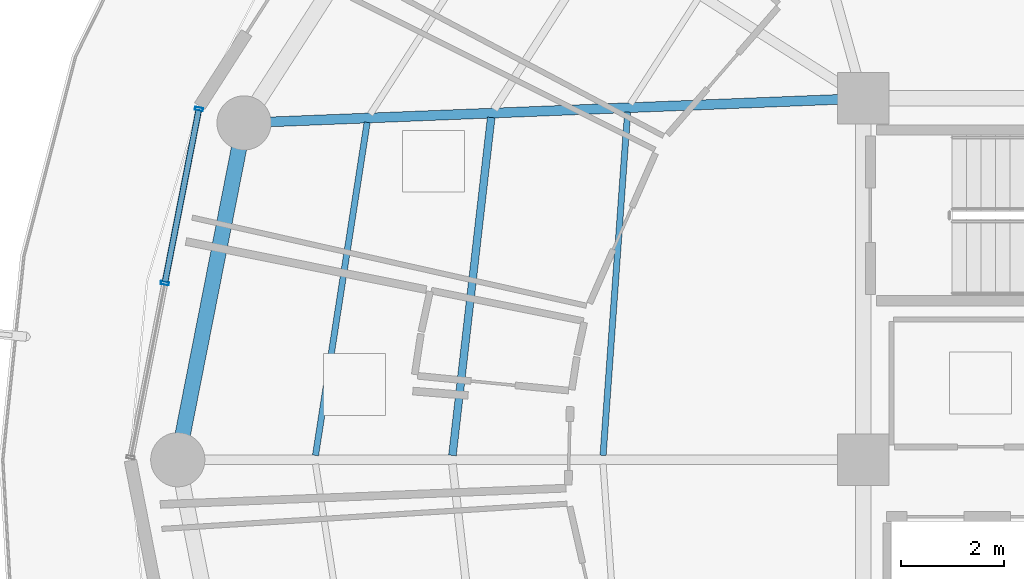
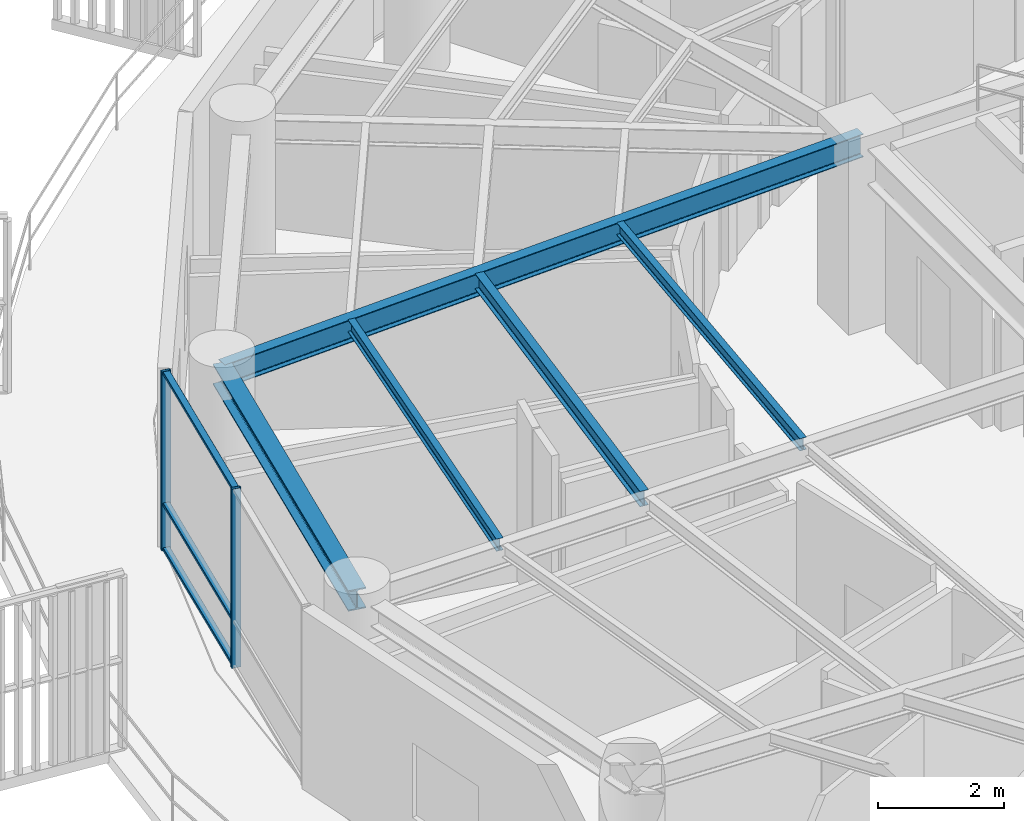
# One storey, part 8 of 31: 5 beams, 5 members, 1 element without a shape of its own.
"""IFC4 building model written with IfcOpenShell, lengths in metres."""

from ifc_helpers import new_model, si_unit, direction, frame, origin, origin_2d, place, context, subcontext, project, spatial, hollow_rectangle, i_section, extrude, material, layer, layer_set, material_profile, profile_set, type_object, element, aggregate, save


model = new_model("IFC4")

# Units and contexts
model_context = context("Model", 3, precision=1e-05, world=origin(), true_north=direction((0.0, 1.0)))
body_context = subcontext(model_context, "Body", "Model", "MODEL_VIEW")
ifc_project = project(units=[si_unit("LENGTHUNIT", "METRE"), si_unit("AREAUNIT", "SQUARE_METRE"), si_unit("VOLUMEUNIT", "CUBIC_METRE"), si_unit("PLANEANGLEUNIT", "RADIAN"), si_unit("MASSUNIT", "GRAM", prefix="KILO")], contexts=[model_context])

# Site, building, storey
site_placement = place(None, origin())
site = spatial("IfcSite", under=ifc_project, at=site_placement, CompositionType="ELEMENT")
building_placement = place(site_placement, origin())
building = spatial("IfcBuilding", under=site, at=building_placement, Name="Kelanora Arch Commons", CompositionType="ELEMENT")
storey_placement = place(building_placement, frame((0.0, 0.0, 230.699951171875)))
storey = spatial("IfcBuildingStorey", under=building, at=storey_placement, Name="L59", CompositionType="ELEMENT", Elevation=230.699951171875)

# Beams
ifc_material_1 = material(Name="Steel S355", Category="steel")
ifc_material_profile_1 = material_profile(ifc_material_1, i_section(OverallWidth=0.14990234375, OverallDepth=0.300048828125, WebThickness=0.007080078125, FlangeThickness=0.0107421875, FilletRadius=0.014892578125, at=origin_2d()), Name="IPE300")
ifc_profile_set_1 = profile_set([ifc_material_profile_1], Name="Steel S355")
beam_type_1 = type_object("IfcBeamType", Name="BM-JST-01", PredefinedType="JOIST", material=ifc_profile_set_1)
beam_1_placement = place(storey_placement, frame((58.792236328125, 64.631103515625, 3.340087890625), z_axis=(-0.113891408177, -0.993493204377, 0.0), x_axis=(0.993493204377, -0.113891408177, 0.0)))
element("IfcBeam", 1, at=beam_1_placement, inside=storey, type_object=beam_type_1, Name="Secondary Chord Joist BJB-16 L59", PredefinedType="JOIST", context=body_context, shape_type="SweptSolid", body=[
    extrude(i_section(OverallWidth=0.14990234375, OverallDepth=0.300048828125, WebThickness=0.007080078125, FlangeThickness=0.0107421875, FilletRadius=0.014892578125, at=origin_2d()), origin(), (0.0, 0.0, 1.0), 6.589599609375),
])
ifc_material_profile_2 = material_profile(ifc_material_1, i_section(OverallWidth=0.1201171875, OverallDepth=0.239990234375, WebThickness=0.006103515625, FlangeThickness=0.009765625, FilletRadius=0.014892578125, at=origin_2d()), Name="IPE240")
ifc_profile_set_2 = profile_set([ifc_material_profile_2], Name="Steel S355")
beam_type_2 = type_object("IfcBeamType", Name="BM-JST-02", PredefinedType="JOIST", material=ifc_profile_set_2)
beam_2_placement = place(storey_placement, frame((61.435302734375, 64.735107421875, 3.3701171875), z_axis=(-0.07133032136, -0.997452748382, 0.0), x_axis=(0.997452748382, -0.07133032136, 0.0)))
element("IfcBeam", 2, at=beam_2_placement, inside=storey, type_object=beam_type_2, Name="Secondary Chord Joist BJA-16 L59", PredefinedType="JOIST", context=body_context, shape_type="SweptSolid", body=[
    extrude(i_section(OverallWidth=0.1201171875, OverallDepth=0.239990234375, WebThickness=0.006103515625, FlangeThickness=0.009765625, FilletRadius=0.014892578125, at=origin_2d()), origin(), (0.0, 0.0, 1.0), 6.66748046875),
])
beam_3_placement = place(storey_placement, frame((56.3896484375, 64.53662109375, 3.3701171875), z_axis=(-0.153256756152, -0.988186402808, 0.0), x_axis=(0.988186402808, -0.153256756152, 0.0)))
element("IfcBeam", 3, at=beam_3_placement, inside=storey, type_object=beam_type_2, Name="Secondary Chord Joist BJC-16 L59", PredefinedType="JOIST", context=body_context, shape_type="SweptSolid", body=[
    extrude(i_section(OverallWidth=0.1201171875, OverallDepth=0.239990234375, WebThickness=0.006103515625, FlangeThickness=0.009765625, FilletRadius=0.014892578125, at=origin_2d()), origin(), (0.0, 0.0, 1.0), 6.52978515625),
])
ifc_material_profile_3 = material_profile(ifc_material_1, i_section(OverallWidth=0.18994140625, OverallDepth=0.449951171875, WebThickness=0.009521484375, FlangeThickness=0.0146484375, FilletRadius=0.02099609375, at=origin_2d()), Name="IPE450")
ifc_profile_set_3 = profile_set([ifc_material_profile_3], Name="Steel S355")
beam_type_3 = type_object("IfcBeamType", Name="BM-RAD-Z4", PredefinedType="BEAM", material=ifc_profile_set_3)
beam_4_placement = place(storey_placement, frame((66.0, 65.0, 3.26513671875), z_axis=(-0.999219142585, -0.03951082246, 0.0), x_axis=(0.03951082246, -0.999219142585, 0.0)))
element("IfcBeam", 4, at=beam_4_placement, inside=storey, type_object=beam_type_3, Name="Radial Floor Girder BR-16 L59", PredefinedType="BEAM", context=body_context, shape_type="SweptSolid", body=[
    extrude(i_section(OverallWidth=0.18994140625, OverallDepth=0.449951171875, WebThickness=0.009521484375, FlangeThickness=0.0146484375, FilletRadius=0.02099609375, at=origin_2d()), origin(), (0.0, 0.0, 1.0), 12.005859375),
])
ifc_material_profile_4 = material_profile(ifc_material_1, i_section(OverallWidth=0.300048828125, OverallDepth=0.39990234375, WebThickness=0.013427734375, FlangeThickness=0.02392578125, FilletRadius=0.027099609375, at=origin_2d()), Name="HEB400")
ifc_profile_set_4 = profile_set([ifc_material_profile_4], Name="Steel S355")
beam_type_4 = type_object("IfcBeamType", Name="BM-SPN-Z4", PredefinedType="SPANDREL", material=ifc_profile_set_4)
beam_5_placement = place(storey_placement, frame((54.00341796875, 64.525634765625, 3.2900390625), z_axis=(-0.192980724826, -0.981202547819, 0.0), x_axis=(0.981202547819, -0.192980724826, 0.0)))
element("IfcBeam", 5, at=beam_5_placement, inside=storey, type_object=beam_type_4, Name="Perimeter Spandrel Beam BS-16 L59", PredefinedType="SPANDREL", context=body_context, shape_type="SweptSolid", body=[
    extrude(i_section(OverallWidth=0.300048828125, OverallDepth=0.39990234375, WebThickness=0.013427734375, FlangeThickness=0.02392578125, FilletRadius=0.027099609375, at=origin_2d()), origin(), (0.0, 0.0, 1.0), 6.650634765625),
])

# Curtain wall, members
ifc_material_2 = material(Name="Terracotta ceramic-fritted low-E glass and aluminium", Category="masonry")
ifc_layer = layer(ifc_material_2, 0.175048828125)
ifc_layer_set = layer_set([ifc_layer], Name="Terracotta ceramic-fritted low-E glass and aluminium")
curtain_wall_type = type_object("IfcCurtainWallType", Name="CW-SYS-02", PredefinedType="NOTDEFINED", material=ifc_layer_set)
curtain_wall_placement = place(storey_placement, origin())
curtain_wall = element("IfcCurtainWall", 6, at=curtain_wall_placement, inside=storey, type_object=curtain_wall_type, Name="Unitised Curtain Wall L59-B08", PredefinedType="NOTDEFINED")
ifc_material_3 = material(Name="Powder-coated aluminium terracotta", Category="masonry")
ifc_material_profile_5 = material_profile(ifc_material_3, hollow_rectangle(XDim=0.159912109375, YDim=0.06005859375, WallThickness=0.0048828125, InnerFilletRadius=0.0048828125, OuterFilletRadius=0.010009765625, at=origin_2d()), Name="CWM160x60")
ifc_profile_set_5 = profile_set([ifc_material_profile_5], Name="Powder-coated aluminium terracotta")
member_type_1 = type_object("IfcMemberType", Name="CWM-STD", PredefinedType="MULLION", material=ifc_profile_set_5)
member_1_placement = place(storey_placement, frame((53.130126953125, 64.796142578125, 0.0), z_axis=(0.0, 0.0, 1.0), x_axis=(0.981381438349, -0.192068926335, 0.0)))
member_1 = element("IfcMember", 7, at=member_1_placement, type_object=member_type_1, Name="CW-02 mullion 1", PredefinedType="MULLION", context=body_context, shape_type="SweptSolid", body=[
    extrude(hollow_rectangle(XDim=0.159912109375, YDim=0.06005859375, WallThickness=0.0048828125, InnerFilletRadius=0.0048828125, OuterFilletRadius=0.010009765625, at=origin_2d()), origin(), (0.0, 0.0, 1.0), 3.47509765625),
])
member_2_placement = place(storey_placement, frame((52.469482421875, 61.420166015625, 0.0), z_axis=(0.0, 0.0, 1.0), x_axis=(0.981381438349, -0.192068926335, 0.0)))
member_2 = element("IfcMember", 8, at=member_2_placement, type_object=member_type_1, Name="CW-02 mullion 2", PredefinedType="MULLION", context=body_context, shape_type="SweptSolid", body=[
    extrude(hollow_rectangle(XDim=0.159912109375, YDim=0.06005859375, WallThickness=0.0048828125, InnerFilletRadius=0.0048828125, OuterFilletRadius=0.010009765625, at=origin_2d()), origin(), (0.0, 0.0, 1.0), 3.47509765625),
])
ifc_material_profile_6 = material_profile(ifc_material_3, hollow_rectangle(XDim=0.1201171875, YDim=0.06005859375, WallThickness=0.0048828125, InnerFilletRadius=0.0048828125, OuterFilletRadius=0.010009765625, at=origin_2d()), Name="CWT120x60")
ifc_profile_set_6 = profile_set([ifc_material_profile_6], Name="Powder-coated aluminium terracotta")
member_type_2 = type_object("IfcMemberType", Name="CWT-STD", PredefinedType="USERDEFINED", material=ifc_profile_set_6)
member_3_placement = place(storey_placement, frame((53.124267578125, 64.766845703125, 0.030029296875), z_axis=(-0.192058488005, -0.981383481207, 0.0), x_axis=(0.981383481207, -0.192058488005, 0.0)))
member_3 = element("IfcMember", 9, at=member_3_placement, type_object=member_type_2, Name="CW-02 transom 1.1", ObjectType="TRANSOM", PredefinedType="USERDEFINED", context=body_context, shape_type="SweptSolid", body=[
    extrude(hollow_rectangle(XDim=0.1201171875, YDim=0.06005859375, WallThickness=0.0048828125, InnerFilletRadius=0.0048828125, OuterFilletRadius=0.010009765625, at=origin_2d()), origin(), (0.0, 0.0, 1.0), 3.380126953125),
])
member_4_placement = place(storey_placement, frame((53.124267578125, 64.766845703125, 0.900146484375), z_axis=(-0.192058488005, -0.981383481207, 0.0), x_axis=(0.981383481207, -0.192058488005, 0.0)))
member_4 = element("IfcMember", 10, at=member_4_placement, type_object=member_type_2, Name="CW-02 transom 1.2", ObjectType="TRANSOM", PredefinedType="USERDEFINED", context=body_context, shape_type="SweptSolid", body=[
    extrude(hollow_rectangle(XDim=0.1201171875, YDim=0.06005859375, WallThickness=0.0048828125, InnerFilletRadius=0.0048828125, OuterFilletRadius=0.010009765625, at=origin_2d()), origin(), (0.0, 0.0, 1.0), 3.380126953125),
])
member_5_placement = place(storey_placement, frame((53.124267578125, 64.766845703125, 3.445068359375), z_axis=(-0.192058488005, -0.981383481207, 0.0), x_axis=(0.981383481207, -0.192058488005, 0.0)))
member_5 = element("IfcMember", 11, at=member_5_placement, type_object=member_type_2, Name="CW-02 transom 1.3", ObjectType="TRANSOM", PredefinedType="USERDEFINED", context=body_context, shape_type="SweptSolid", body=[
    extrude(hollow_rectangle(XDim=0.1201171875, YDim=0.06005859375, WallThickness=0.0048828125, InnerFilletRadius=0.0048828125, OuterFilletRadius=0.010009765625, at=origin_2d()), origin(), (0.0, 0.0, 1.0), 3.380126953125),
])
aggregate(curtain_wall, [member_1, member_2, member_3, member_4, member_5])

save(model, "model.ifc")
